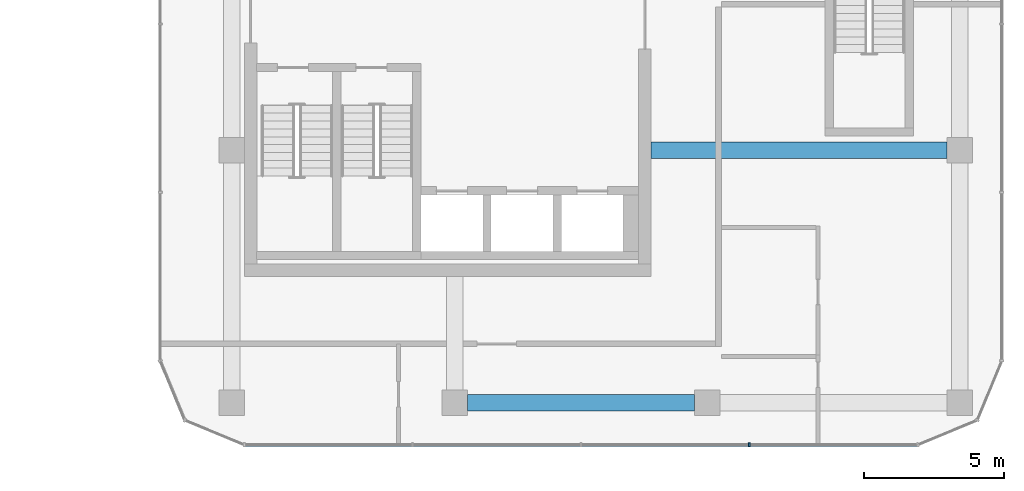
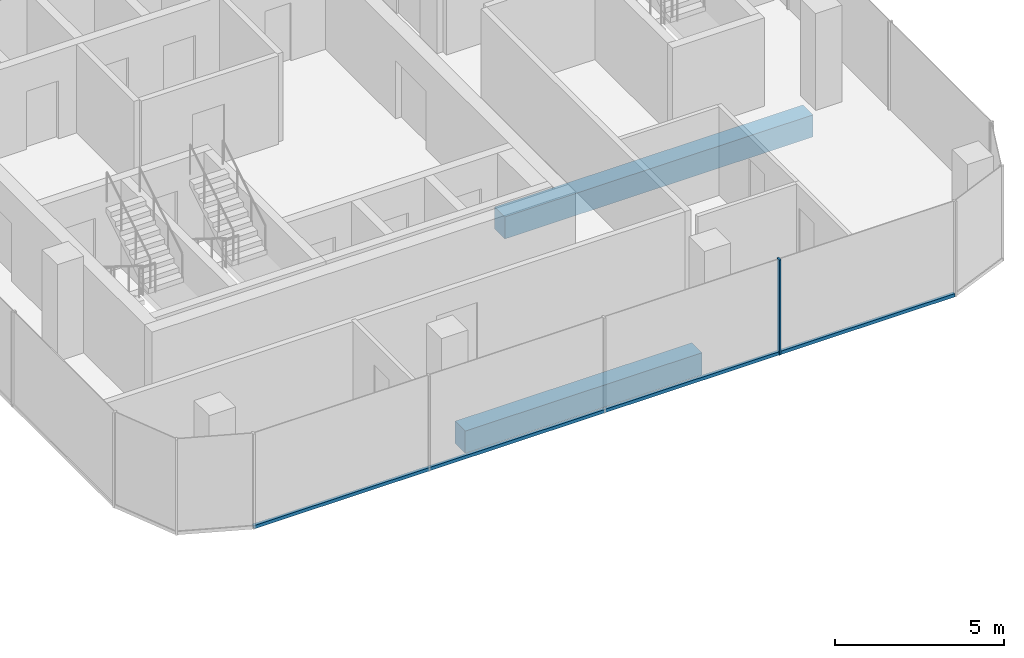
# One storey, part 8 of 22: 2 beams, 2 members, 1 element without a shape of its own.
"""IFC4 building model written with IfcOpenShell, lengths in metres."""

from ifc_helpers import new_model, si_unit, direction, frame, origin, origin_2d, place, context, subcontext, project, spatial, rectangle, extrude, material, layer, layer_set, material_profile, profile_set, type_object, element, aggregate, save


model = new_model("IFC4")

# Units and contexts
model_context = context("Model", 3, precision=1e-05, world=origin(), true_north=direction((0.0, 1.0)))
body_context = subcontext(model_context, "Body", "Model", "MODEL_VIEW")
ifc_project = project(units=[si_unit("LENGTHUNIT", "METRE"), si_unit("AREAUNIT", "SQUARE_METRE"), si_unit("VOLUMEUNIT", "CUBIC_METRE"), si_unit("PLANEANGLEUNIT", "RADIAN"), si_unit("MASSUNIT", "GRAM", prefix="KILO")], contexts=[model_context])

# Site, building, storey
site_placement = place(None, origin())
site = spatial("IfcSite", under=ifc_project, at=site_placement, CompositionType="ELEMENT")
building_placement = place(site_placement, origin())
building = spatial("IfcBuilding", under=site, at=building_placement, Name="Plateau Cross Towers", CompositionType="ELEMENT")
storey_placement = place(building_placement, frame((0.0, 0.0, 68.800048828125)))
storey = spatial("IfcBuildingStorey", under=building, at=storey_placement, Name="L17", CompositionType="ELEMENT", Elevation=68.800048828125)

# Beam
ifc_material_1 = material(Name="Concrete C60/75", Category="concrete")
ifc_material_profile_1 = material_profile(ifc_material_1, rectangle(XDim=0.60009765625, YDim=0.800048828125, at=origin_2d()), Name="RC 600x800")
ifc_profile_set_1 = profile_set([ifc_material_profile_1], Name="Concrete C60/75")
beam_type_1 = type_object("IfcBeamType", Name="Core beam RC 600x800", PredefinedType="BEAM", material=ifc_profile_set_1)
beam_1_placement = place(storey_placement, frame((89.5, 4.5, -0.650146484375), z_axis=(1.0, 0.0, 0.0), x_axis=(0.0, 1.0, 0.0)))
element("IfcBeam", 1, at=beam_1_placement, inside=storey, type_object=beam_type_1, Name="B-CB02@L17", PredefinedType="BEAM", context=body_context, shape_type="SweptSolid", body=[
    extrude(rectangle(XDim=0.60009765625, YDim=0.800048828125, at=origin_2d()), origin(), (0.0, 0.0, 1.0), 10.550048828125),
])

# Curtain wall, member
ifc_material_2 = material(Name="Dark low-iron glass", Category="glass")
ifc_layer = layer(ifc_material_2, 0.239990234375)
ifc_layer_set = layer_set([ifc_layer], Name="Dark low-iron glass")
curtain_wall_type = type_object("IfcCurtainWallType", Name="Curtain wall office unitised CW-F", PredefinedType="NOTDEFINED", material=ifc_layer_set)
curtain_wall_placement = place(storey_placement, origin())
curtain_wall = element("IfcCurtainWall", 2, at=curtain_wall_placement, inside=storey, type_object=curtain_wall_type, Name="ENV/B/L17/B750_-60", PredefinedType="NOTDEFINED")
ifc_material_3 = material(Name="Black anodised aluminium", Category="aluminium")
ifc_material_profile_2 = material_profile(ifc_material_3, rectangle(XDim=0.06005859375, YDim=0.139892578125, at=origin_2d()), Name="MULLION 60x140")
ifc_profile_set_2 = profile_set([ifc_material_profile_2], Name="Black anodised aluminium")
member_type_1 = type_object("IfcMemberType", Name="Mullion 60x140 office unitised", PredefinedType="MULLION", material=ifc_profile_set_2)
member_1_placement = place(storey_placement, frame((93.0, -6.0, -0.25), z_axis=(0.0, 0.0, 1.0), x_axis=(1.0, 0.0, 0.0)))
member_1 = element("IfcMember", 3, at=member_1_placement, type_object=member_type_1, Name="CW-F mullion 4", PredefinedType="MULLION", context=body_context, shape_type="SweptSolid", body=[
    extrude(rectangle(XDim=0.06005859375, YDim=0.139892578125, at=origin_2d()), origin(), (0.0, 0.0, 1.0), 3.449951171875),
])

# Beam
ifc_material_profile_3 = material_profile(ifc_material_1, rectangle(XDim=0.60009765625, YDim=0.800048828125, at=origin_2d()), Name="RC 600x800")
ifc_profile_set_3 = profile_set([ifc_material_profile_3], Name="Concrete C60/75")
beam_type_2 = type_object("IfcBeamType", Name="Ring beam RC 600x800", PredefinedType="BEAM", material=ifc_profile_set_3)
beam_2_placement = place(storey_placement, frame((82.949951171875, -4.5, -0.650146484375), z_axis=(1.0, 0.0, 0.0), x_axis=(0.0, 1.0, 0.0)))
element("IfcBeam", 4, at=beam_2_placement, inside=storey, type_object=beam_type_2, Name="B-RB01@L17", PredefinedType="BEAM", context=body_context, shape_type="SweptSolid", body=[
    extrude(rectangle(XDim=0.60009765625, YDim=0.800048828125, at=origin_2d()), origin(), (0.0, 0.0, 1.0), 8.10009765625),
])

# Member
ifc_material_profile_4 = material_profile(ifc_material_3, rectangle(XDim=0.10009765625, YDim=0.1201171875, at=origin_2d()), Name="TRANSOM 100x120")
ifc_profile_set_4 = profile_set([ifc_material_profile_4], Name="Black anodised aluminium")
member_type_2 = type_object("IfcMemberType", Name="Transom 100x120 office unitised", PredefinedType="USERDEFINED", material=ifc_profile_set_4)
member_2_placement = place(storey_placement, frame((75.0, -6.0, -0.18994140625), z_axis=(1.0, 0.0, 0.0), x_axis=(0.0, 1.0, 0.0)))
member_2 = element("IfcMember", 5, at=member_2_placement, type_object=member_type_2, Name="CW-F transom", ObjectType="TRANSOM", PredefinedType="USERDEFINED", context=body_context, shape_type="SweptSolid", body=[
    extrude(rectangle(XDim=0.10009765625, YDim=0.1201171875, at=origin_2d()), origin(), (0.0, 0.0, 1.0), 24.0),
])

aggregate(curtain_wall, [member_1, member_2])

save(model, "model.ifc")
